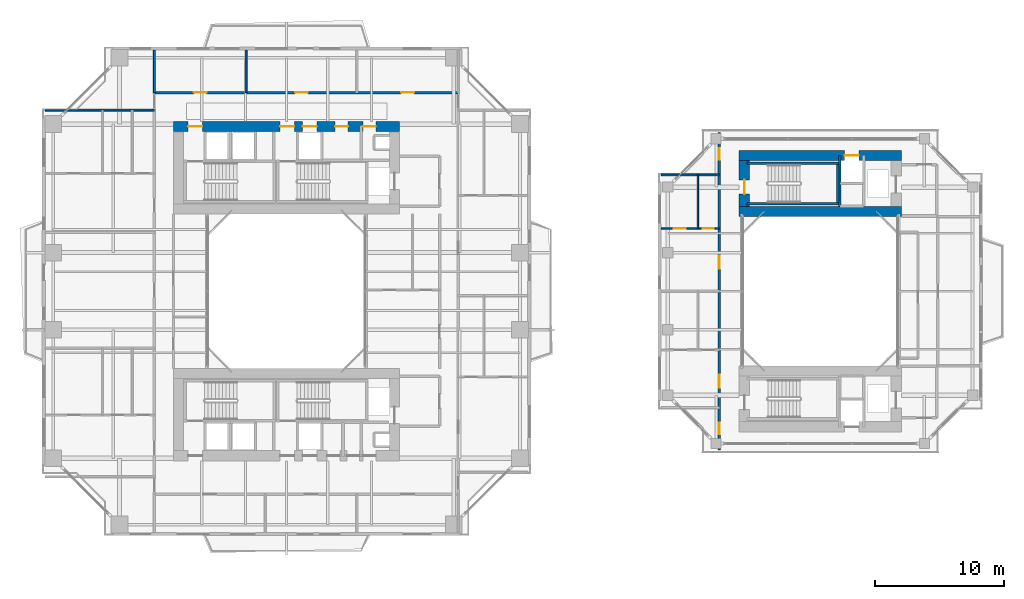
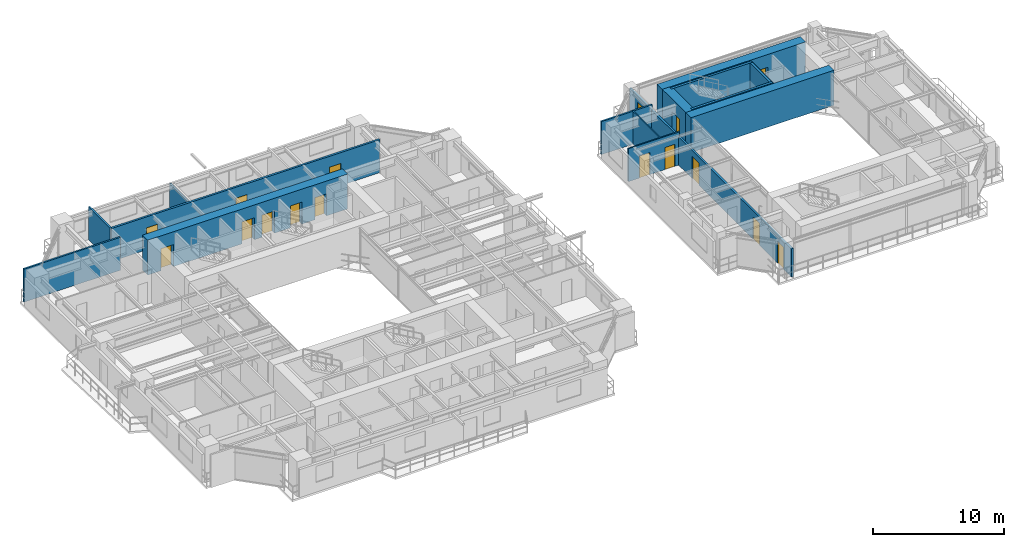
# One storey, part 17 of 23: 16 doors, 16 walls, 16 openings.
"""IFC4 building model written with IfcOpenShell, lengths in metres."""

from ifc_helpers import new_model, si_unit, direction, frame, frame_2d, origin, place, context, subcontext, project, spatial, rectangle, extrude, source, transform, mapped, material, layer, layer_set, type_object, element, fill, save


model = new_model("IFC4")

# Units and contexts
model_context = context("Model", 3, precision=1e-05, world=origin(), true_north=direction((0.0, 1.0)))
body_context = subcontext(model_context, "Body", "Model", "MODEL_VIEW")
ifc_project = project(units=[si_unit("LENGTHUNIT", "METRE"), si_unit("AREAUNIT", "SQUARE_METRE"), si_unit("VOLUMEUNIT", "CUBIC_METRE"), si_unit("PLANEANGLEUNIT", "RADIAN"), si_unit("MASSUNIT", "GRAM", prefix="KILO"), si_unit("THERMODYNAMICTEMPERATUREUNIT", "KELVIN"), si_unit("POWERUNIT", "WATT")], contexts=[model_context])

# Site, building, storey
site_placement = place(None, origin())
site = spatial("IfcSite", under=ifc_project, at=site_placement, CompositionType="ELEMENT")
building_placement = place(site_placement, origin())
building = spatial("IfcBuilding", under=site, at=building_placement, Name="Qiaomeng Ring Towers", CompositionType="ELEMENT")
storey_placement = place(building_placement, frame((0.0, 0.0, 86.0)))
storey = spatial("IfcBuildingStorey", under=building, at=storey_placement, Name="L24", CompositionType="ELEMENT", Elevation=86.0)

# Wall, openings, doors
ifc_material_1 = material(Name="Autoclaved aerated concrete block", Category="concrete")
ifc_layer_1 = layer(ifc_material_1, 0.179931640625, Name="Autoclaved aerated concrete block")
ifc_layer_set_1 = layer_set([ifc_layer_1], Name="Autoclaved aerated concrete block")
wall_type_1 = type_object("IfcWallType", Name="ARC-WL-PW2", PredefinedType="PARTITIONING", material=ifc_layer_set_1)
wall_1_placement = place(storey_placement, frame((8.719970703125, 38.43994140625, 0.0), z_axis=(0.0, 0.0, 1.0), x_axis=(1.0, 0.0, 0.0)))
wall_1 = element("IfcWall", 1, at=wall_1_placement, inside=storey, type_object=wall_type_1, Name="L24 Interior Wall PW2", PredefinedType="PARTITIONING", context=body_context, shape_type="SweptSolid", body=[
    extrude(rectangle(XDim=23.630126953125, YDim=0.179931640625, at=frame_2d((11.81494140625, 0.0))), origin(), (0.0, 0.0, 1.0), 3.070068359375),
])
opening_1_placement = place(wall_1_placement, frame((3.06494140625, 0.0, 0.0)))
opening_1 = element("IfcOpeningElement", 2, at=opening_1_placement, cuts=wall_1, Name="Opening FD4", PredefinedType="OPENING", context=body_context, shape_type="SweptSolid", body=[
    extrude(rectangle(XDim=1.0, YDim=2.050048828125, at=frame_2d((0.5, 1.02490234375))), frame((0.0, 0.099853515625, 0.0), z_axis=(0.0, -1.0, 0.0), x_axis=(1.0, 0.0, 0.0)), (0.0, 0.0, 1.0), 0.199951171875),
])
opening_2_placement = place(wall_1_placement, frame((10.93994140625, 0.0, 0.0)))
opening_2 = element("IfcOpeningElement", 3, at=opening_2_placement, cuts=wall_1, Name="Opening FD4", PredefinedType="OPENING", context=body_context, shape_type="SweptSolid", body=[
    extrude(rectangle(XDim=1.0, YDim=2.050048828125, at=frame_2d((0.5, 1.02490234375))), frame((0.0, 0.099853515625, 0.0), z_axis=(0.0, -1.0, 0.0), x_axis=(1.0, 0.0, 0.0)), (0.0, 0.0, 1.0), 0.199951171875),
])
opening_3_placement = place(wall_1_placement, frame((19.18994140625, 0.0, 0.0)))
opening_3 = element("IfcOpeningElement", 4, at=opening_3_placement, cuts=wall_1, Name="Opening FD4", PredefinedType="OPENING", context=body_context, shape_type="SweptSolid", body=[
    extrude(rectangle(XDim=1.0, YDim=2.050048828125, at=frame_2d((0.5, 1.02490234375))), frame((0.0, 0.099853515625, 0.0), z_axis=(0.0, -1.0, 0.0), x_axis=(1.0, 0.0, 0.0)), (0.0, 0.0, 1.0), 0.199951171875),
])
ifc_material_2 = material(Name="Engineered fire-rated oak timber", Category="wood")
door_type_1 = type_object("IfcDoorType", Name="ARC-DR-FD4", OperationType="NOTDEFINED", PredefinedType="DOOR", material=ifc_material_2)
shared_shape_1 = source(origin(), body_context, "Body", "SweptSolid", [
    extrude(rectangle(XDim=1.0, YDim=2.050048828125, at=frame_2d((0.5, 1.02490234375))), frame((0.0, 0.02490234375, 0.0), z_axis=(0.0, -1.0, 0.0), x_axis=(1.0, 0.0, 0.0)), (0.0, 0.0, 1.0), 0.050048828125),
])
door_1_placement = place(opening_1_placement, origin())
door_1 = element("IfcDoor", 5, at=door_1_placement, inside=storey, type_object=door_type_1, Name="L24 Door FD4", OperationType="SINGLE_SWING_RIGHT", OverallHeight=2.050048828125, OverallWidth=1.0, PredefinedType="DOOR", context=body_context, shape_type="MappedRepresentation", body=[
    mapped(shared_shape_1, transform((0.0, 0.0, 0.0), x_axis=(1.0, 0.0, 0.0), y_axis=(0.0, 1.0, 0.0), z_axis=(0.0, 0.0, 1.0), scale=1.0)),
])
fill(opening_1, door_1)
door_2_placement = place(opening_2_placement, origin())
door_2 = element("IfcDoor", 6, at=door_2_placement, inside=storey, type_object=door_type_1, Name="L24 Door FD4", OperationType="SINGLE_SWING_LEFT", OverallHeight=2.050048828125, OverallWidth=1.0, PredefinedType="DOOR", context=body_context, shape_type="MappedRepresentation", body=[
    mapped(shared_shape_1, transform((0.0, 0.0, 0.0), x_axis=(1.0, 0.0, 0.0), y_axis=(0.0, 1.0, 0.0), z_axis=(0.0, 0.0, 1.0), scale=1.0)),
])
fill(opening_2, door_2)
door_3_placement = place(opening_3_placement, origin())
door_3 = element("IfcDoor", 7, at=door_3_placement, inside=storey, type_object=door_type_1, Name="L24 Door FD4", OperationType="SINGLE_SWING_RIGHT", OverallHeight=2.050048828125, OverallWidth=1.0, PredefinedType="DOOR", context=body_context, shape_type="MappedRepresentation", body=[
    mapped(shared_shape_1, transform((0.0, 0.0, 0.0), x_axis=(1.0, 0.0, 0.0), y_axis=(0.0, 1.0, 0.0), z_axis=(0.0, 0.0, 1.0), scale=1.0)),
])
fill(opening_3, door_3)

wall_2_placement = place(storey_placement, frame((52.64990234375, 10.64990234375, 0.0), z_axis=(0.0, 0.0, 1.0), x_axis=(0.0, 1.0, 0.0)))
wall_2 = element("IfcWall", 8, at=wall_2_placement, inside=storey, type_object=wall_type_1, Name="L24 Interior Wall PW2", PredefinedType="PARTITIONING", context=body_context, shape_type="SweptSolid", body=[
    extrude(rectangle(XDim=24.7001953125, YDim=0.179931640625, at=frame_2d((12.35009765625, 0.0))), origin(), (0.0, 0.0, 1.0), 2.614990234375),
])
opening_4_placement = place(wall_2_placement, frame((22.580078125, 0.0, 0.0)))
opening_4 = element("IfcOpeningElement", 9, at=opening_4_placement, cuts=wall_2, Name="Opening ID1", PredefinedType="OPENING", context=body_context, shape_type="SweptSolid", body=[
    extrude(rectangle(XDim=0.89990234375, YDim=2.050048828125, at=frame_2d((0.449951171875, 1.02490234375))), frame((0.0, 0.099853515625, 0.0), z_axis=(0.0, -1.0, 0.0), x_axis=(1.0, 0.0, 0.0)), (0.0, 0.0, 1.0), 0.199951171875),
])
opening_5_placement = place(wall_2_placement, frame((1.219970703125, 0.0, 0.0)))
opening_5 = element("IfcOpeningElement", 10, at=opening_5_placement, cuts=wall_2, Name="Opening ID1", PredefinedType="OPENING", context=body_context, shape_type="SweptSolid", body=[
    extrude(rectangle(XDim=0.89990234375, YDim=2.050048828125, at=frame_2d((0.449951171875, 1.02490234375))), frame((0.0, 0.099853515625, 0.0), z_axis=(0.0, -1.0, 0.0), x_axis=(1.0, 0.0, 0.0)), (0.0, 0.0, 1.0), 0.199951171875),
])
opening_6_placement = place(wall_2_placement, frame((4.844970703125, 0.0, 0.0)))
opening_6 = element("IfcOpeningElement", 11, at=opening_6_placement, cuts=wall_2, Name="Opening FD4", PredefinedType="OPENING", context=body_context, shape_type="SweptSolid", body=[
    extrude(rectangle(XDim=1.0, YDim=2.050048828125, at=frame_2d((0.5, 1.02490234375))), frame((0.0, 0.099853515625, 0.0), z_axis=(0.0, -1.0, 0.0), x_axis=(1.0, 0.0, 0.0)), (0.0, 0.0, 1.0), 0.199951171875),
])
opening_7_placement = place(wall_2_placement, frame((14.10498046875, 0.0, 0.0)))
opening_7 = element("IfcOpeningElement", 12, at=opening_7_placement, cuts=wall_2, Name="Opening FD4", PredefinedType="OPENING", context=body_context, shape_type="SweptSolid", body=[
    extrude(rectangle(XDim=1.0, YDim=2.050048828125, at=frame_2d((0.5, 1.02490234375))), frame((0.0, 0.099853515625, 0.0), z_axis=(0.0, -1.0, 0.0), x_axis=(1.0, 0.0, 0.0)), (0.0, 0.0, 1.0), 0.199951171875),
])
door_4_placement = place(opening_6_placement, origin())
door_4 = element("IfcDoor", 13, at=door_4_placement, inside=storey, type_object=door_type_1, Name="L24 Door FD4", OperationType="SINGLE_SWING_RIGHT", OverallHeight=2.050048828125, OverallWidth=1.0, PredefinedType="DOOR", context=body_context, shape_type="MappedRepresentation", body=[
    mapped(shared_shape_1, transform((0.0, 0.0, 0.0), x_axis=(1.0, 0.0, 0.0), y_axis=(0.0, 1.0, 0.0), z_axis=(0.0, 0.0, 1.0), scale=1.0)),
])
fill(opening_6, door_4)
door_5_placement = place(opening_7_placement, origin())
door_5 = element("IfcDoor", 14, at=door_5_placement, inside=storey, type_object=door_type_1, Name="L24 Door FD4", OperationType="SINGLE_SWING_LEFT", OverallHeight=2.050048828125, OverallWidth=1.0, PredefinedType="DOOR", context=body_context, shape_type="MappedRepresentation", body=[
    mapped(shared_shape_1, transform((0.0, 0.0, 0.0), x_axis=(1.0, 0.0, 0.0), y_axis=(0.0, 1.0, 0.0), z_axis=(0.0, 0.0, 1.0), scale=1.0)),
])
fill(opening_7, door_5)
ifc_material_3 = material(Name="Engineered oak timber", Category="wood")
door_type_2 = type_object("IfcDoorType", Name="ARC-DR-ID1", OperationType="NOTDEFINED", PredefinedType="DOOR", material=ifc_material_3)
shared_shape_2 = source(origin(), body_context, "Body", "SweptSolid", [
    extrude(rectangle(XDim=0.89990234375, YDim=2.050048828125, at=frame_2d((0.449951171875, 1.02490234375))), frame((0.0, 0.02490234375, 0.0), z_axis=(0.0, -1.0, 0.0), x_axis=(1.0, 0.0, 0.0)), (0.0, 0.0, 1.0), 0.050048828125),
])
door_6_placement = place(opening_4_placement, origin())
door_6 = element("IfcDoor", 15, at=door_6_placement, inside=storey, type_object=door_type_2, Name="L24 Door ID1", OperationType="SINGLE_SWING_RIGHT", OverallHeight=2.050048828125, OverallWidth=0.89990234375, PredefinedType="DOOR", context=body_context, shape_type="MappedRepresentation", body=[
    mapped(shared_shape_2, transform((0.0, 0.0, 0.0), x_axis=(1.0, 0.0, 0.0), y_axis=(0.0, 1.0, 0.0), z_axis=(0.0, 0.0, 1.0), scale=1.0)),
])
fill(opening_4, door_6)
door_7_placement = place(opening_5_placement, origin())
door_7 = element("IfcDoor", 16, at=door_7_placement, inside=storey, type_object=door_type_2, Name="L24 Door ID1", OperationType="SINGLE_SWING_LEFT", OverallHeight=2.050048828125, OverallWidth=0.89990234375, PredefinedType="DOOR", context=body_context, shape_type="MappedRepresentation", body=[
    mapped(shared_shape_2, transform((0.0, 0.0, 0.0), x_axis=(1.0, 0.0, 0.0), y_axis=(0.0, 1.0, 0.0), z_axis=(0.0, 0.0, 1.0), scale=1.0)),
])
fill(opening_5, door_7)

# Walls
ifc_material_4 = material(Name="Gypsum fireboard steel-stud partition", Category="steel")
ifc_layer_2 = layer(ifc_material_4, 0.14990234375, Name="Gypsum fireboard steel-stud partition")
ifc_layer_set_2 = layer_set([ifc_layer_2], Name="Gypsum fireboard steel-stud partition")
wall_type_2 = type_object("IfcWallType", Name="ARC-WL-PW3", PredefinedType="PARTITIONING", material=ifc_layer_set_2)
wall_3_placement = place(storey_placement, frame((15.85009765625, 38.43994140625, 0.0), z_axis=(0.0, 0.0, 1.0), x_axis=(0.0, 1.0, 0.0)))
element("IfcWall", 17, at=wall_3_placement, inside=storey, type_object=wall_type_2, Name="L24 Interior Wall PW3", PredefinedType="PARTITIONING", context=body_context, shape_type="SweptSolid", body=[
    extrude(rectangle(XDim=3.31005859375, YDim=0.14990234375, at=frame_2d((1.655029296875, 0.0))), origin(), (0.0, 0.0, 1.0), 2.715087890625),
])
wall_4_placement = place(storey_placement, frame((8.719970703125, 38.43994140625, 0.0), z_axis=(0.0, 0.0, 1.0), x_axis=(0.0, 1.0, 0.0)))
element("IfcWall", 18, at=wall_4_placement, inside=storey, type_object=wall_type_2, Name="L24 Interior Wall PW3", PredefinedType="PARTITIONING", context=body_context, shape_type="SweptSolid", body=[
    extrude(rectangle(XDim=3.31005859375, YDim=0.14990234375, at=frame_2d((1.655029296875, 0.0))), origin(), (0.0, 0.0, 1.0), 3.070068359375),
])
wall_5_placement = place(storey_placement, frame((0.25, 37.080078125, 0.0), z_axis=(0.0, 0.0, 1.0), x_axis=(1.0, 0.0, 0.0)))
element("IfcWall", 19, at=wall_5_placement, inside=storey, type_object=wall_type_2, Name="L24 Interior Wall PW3", PredefinedType="PARTITIONING", context=body_context, shape_type="SweptSolid", body=[
    extrude(rectangle(XDim=8.469970703125, YDim=0.14990234375, at=frame_2d((4.23486328125, 0.0))), origin(), (0.0, 0.0, 1.0), 3.070068359375),
])
wall_6_placement = place(storey_placement, frame((48.14990234375, 32.050048828125, 0.0), z_axis=(0.0, 0.0, 1.0), x_axis=(1.0, 0.0, 0.0)))
element("IfcWall", 20, at=wall_6_placement, inside=storey, type_object=wall_type_2, Name="L24 Interior Wall PW3", PredefinedType="PARTITIONING", context=body_context, shape_type="SweptSolid", body=[
    extrude(rectangle(XDim=4.5, YDim=0.14990234375, at=frame_2d((2.25, 0.0))), origin(), (0.0, 0.0, 1.0), 3.070068359375),
])

# Wall, openings, doors
ifc_material_5 = material(Name="Moisture-resistant gypsum steel-stud partition", Category="steel")
ifc_layer_3 = layer(ifc_material_5, 0.1201171875, Name="Moisture-resistant gypsum steel-stud partition")
ifc_layer_set_3 = layer_set([ifc_layer_3], Name="Moisture-resistant gypsum steel-stud partition")
wall_type_3 = type_object("IfcWallType", Name="ARC-WL-PW4", PredefinedType="PLUMBINGWALL", material=ifc_layer_set_3)
wall_7_placement = place(storey_placement, frame((48.14990234375, 27.889892578125, 0.0), z_axis=(0.0, 0.0, 1.0), x_axis=(1.0, 0.0, 0.0)))
wall_7 = element("IfcWall", 21, at=wall_7_placement, inside=storey, type_object=wall_type_3, Name="L24 Interior Wall PW4", PredefinedType="PLUMBINGWALL", context=body_context, shape_type="SweptSolid", body=[
    extrude(rectangle(XDim=4.5, YDim=0.1201171875, at=frame_2d((2.25, 0.0))), origin(), (0.0, 0.0, 1.0), 3.070068359375),
])
opening_8_placement = place(wall_7_placement, frame((0.97509765625, 0.0, 0.0)))
opening_8 = element("IfcOpeningElement", 22, at=opening_8_placement, cuts=wall_7, Name="Opening ID1", PredefinedType="OPENING", context=body_context, shape_type="SweptSolid", body=[
    extrude(rectangle(XDim=0.89990234375, YDim=2.050048828125, at=frame_2d((0.449951171875, 1.02490234375))), frame((0.0, 0.070068359375, 0.0), z_axis=(0.0, -1.0, 0.0), x_axis=(1.0, 0.0, 0.0)), (0.0, 0.0, 1.0), 0.14013671875),
])
opening_9_placement = place(wall_7_placement, frame((3.22998046875, 0.0, 0.0)))
opening_9 = element("IfcOpeningElement", 23, at=opening_9_placement, cuts=wall_7, Name="Opening ID2", PredefinedType="OPENING", context=body_context, shape_type="SweptSolid", body=[
    extrude(rectangle(XDim=0.85009765625, YDim=2.050048828125, at=frame_2d((0.425048828125, 1.02490234375))), frame((0.0, 0.070068359375, 0.0), z_axis=(0.0, -1.0, 0.0), x_axis=(1.0, 0.0, 0.0)), (0.0, 0.0, 1.0), 0.14013671875),
])
ifc_material_6 = material(Name="Moisture-resistant engineered timber", Category="wood")
door_type_3 = type_object("IfcDoorType", Name="ARC-DR-ID2", OperationType="NOTDEFINED", PredefinedType="DOOR", material=ifc_material_6)
shared_shape_3 = source(origin(), body_context, "Body", "SweptSolid", [
    extrude(rectangle(XDim=0.85009765625, YDim=2.050048828125, at=frame_2d((0.425048828125, 1.02490234375))), frame((0.0, 0.02490234375, 0.0), z_axis=(0.0, -1.0, 0.0), x_axis=(1.0, 0.0, 0.0)), (0.0, 0.0, 1.0), 0.050048828125),
])
door_8_placement = place(opening_9_placement, origin())
door_8 = element("IfcDoor", 24, at=door_8_placement, inside=storey, type_object=door_type_3, Name="L24 Door ID2", OperationType="SINGLE_SWING_LEFT", OverallHeight=2.050048828125, OverallWidth=0.85009765625, PredefinedType="DOOR", context=body_context, shape_type="MappedRepresentation", body=[
    mapped(shared_shape_3, transform((0.0, 0.0, 0.0), x_axis=(1.0, 0.0, 0.0), y_axis=(0.0, 1.0, 0.0), z_axis=(0.0, 0.0, 1.0), scale=1.0)),
])
fill(opening_9, door_8)
door_9_placement = place(opening_8_placement, origin())
door_9 = element("IfcDoor", 25, at=door_9_placement, inside=storey, type_object=door_type_2, Name="L24 Door ID1", OperationType="SINGLE_SWING_RIGHT", OverallHeight=2.050048828125, OverallWidth=0.89990234375, PredefinedType="DOOR", context=body_context, shape_type="MappedRepresentation", body=[
    mapped(shared_shape_2, transform((0.0, 0.0, 0.0), x_axis=(1.0, 0.0, 0.0), y_axis=(0.0, 1.0, 0.0), z_axis=(0.0, 0.0, 1.0), scale=1.0)),
])
fill(opening_8, door_9)

# Walls
wall_8_placement = place(storey_placement, frame((50.97998046875, 27.889892578125, 0.0), z_axis=(0.0, 0.0, 1.0), x_axis=(0.0, 1.0, 0.0)))
element("IfcWall", 26, at=wall_8_placement, inside=storey, type_object=wall_type_3, Name="L24 Interior Wall PW4", PredefinedType="PLUMBINGWALL", context=body_context, shape_type="SweptSolid", body=[
    extrude(rectangle(XDim=4.16015625, YDim=0.1201171875, at=frame_2d((2.080078125, 0.0))), origin(), (0.0, 0.0, 1.0), 3.070068359375),
])
ifc_material_7 = material(Name="Concrete C40", Category="concrete")
ifc_layer_4 = layer(ifc_material_7, 0.199951171875, Name="Concrete C40")
ifc_layer_set_4 = layer_set([ifc_layer_4], Name="Concrete C40")
wall_type_4 = type_object("IfcWallType", Name="STR-WL-STSHAFT", PredefinedType="SHEAR", material=ifc_layer_set_4)
wall_9_placement = place(storey_placement, frame((62.02001953125, 29.60009765625, 0.0), z_axis=(0.0, 0.0, 1.0), x_axis=(0.0, 1.0, 0.0)))
element("IfcWall", 27, at=wall_9_placement, inside=storey, type_object=wall_type_4, Name="L24 Companion Lift Shaft West Wall N", PredefinedType="SHEAR", context=body_context, shape_type="SweptSolid", body=[
    extrude(rectangle(XDim=3.949951171875, YDim=0.179931640625, at=frame_2d((1.97509765625, 0.0))), origin(), (0.0, 0.0, 1.0), 3.070068359375),
])
for number, where, z_axis, x_axis, name in (
    (28, (54.800048828125, 29.800048828125, 0.0), (0.0, 0.0, 1.0), (1.0, 0.0, 0.0), "L24 Stair ST5 South Shaft Shear Wall"),
    (29, (54.800048828125, 32.93994140625, 0.0), (0.0, 0.0, 1.0), (1.0, 0.0, 0.0), "L24 Stair ST5 North Shaft Shear Wall"),
):
    element("IfcWall", number, at=place(storey_placement, frame(where, z_axis=z_axis, x_axis=x_axis)), inside=storey, type_object=wall_type_4, Name=name, PredefinedType="SHEAR", context=body_context, shape_type="SweptSolid", body=[
        extrude(rectangle(XDim=7.14990234375, YDim=0.199951171875, at=frame_2d((3.574951171875, 0.0))), origin(), (0.0, 0.0, 1.0), 3.25),
    ])
wall_10_placement = place(storey_placement, frame((61.85009765625, 29.89990234375, 0.0), z_axis=(0.0, 0.0, 1.0), x_axis=(0.0, 1.0, 0.0)))
element("IfcWall", 30, at=wall_10_placement, inside=storey, type_object=wall_type_4, Name="L24 Stair ST5 East Shaft Shear Wall", PredefinedType="SHEAR", context=body_context, shape_type="SweptSolid", body=[
    extrude(rectangle(XDim=2.940185546875, YDim=0.199951171875, at=frame_2d((1.47021484375, 0.0))), origin(), (0.0, 0.0, 1.0), 3.25),
])

# Wall, openings, doors
ifc_material_8 = material(Name="Concrete C60", Category="concrete")
ifc_layer_5 = layer(ifc_material_8, 0.800048828125, Name="Concrete C60")
ifc_layer_set_5 = layer_set([ifc_layer_5], Name="Concrete C60")
wall_type_5 = type_object("IfcWallType", Name="STR-WL-SW1", PredefinedType="SHEAR", material=ifc_layer_set_5)
wall_11_placement = place(storey_placement, frame((10.199951171875, 35.800048828125, 0.0), z_axis=(0.0, 0.0, 1.0), x_axis=(1.0, 0.0, 0.0)))
wall_11 = element("IfcWall", 31, at=wall_11_placement, inside=storey, type_object=wall_type_5, Name="L24 T1NC north core shear wall", PredefinedType="SHEAR", context=body_context, shape_type="SweptSolid", body=[
    extrude(rectangle(XDim=17.60009765625, YDim=0.800048828125, at=frame_2d((8.800048828125, 0.0))), origin(), (0.0, 0.0, 1.0), 3.25),
])
opening_10_placement = place(wall_11_placement, frame((1.14990234375, 0.0, 0.0)))
opening_10 = element("IfcOpeningElement", 32, at=opening_10_placement, cuts=wall_11, Name="Opening FD3", PredefinedType="OPENING", context=body_context, shape_type="SweptSolid", body=[
    extrude(rectangle(XDim=1.10009765625, YDim=2.050048828125, at=frame_2d((0.550048828125, 1.02490234375))), frame((0.0, 0.409912109375, 0.0), z_axis=(0.0, -1.0, 0.0), x_axis=(1.0, 0.0, 0.0)), (0.0, 0.0, 1.0), 0.820068359375),
])
opening_11_placement = place(wall_11_placement, frame((8.300048828125, 0.0, 0.0)))
opening_11 = element("IfcOpeningElement", 33, at=opening_11_placement, cuts=wall_11, Name="Opening FD3", PredefinedType="OPENING", context=body_context, shape_type="SweptSolid", body=[
    extrude(rectangle(XDim=1.10009765625, YDim=2.050048828125, at=frame_2d((0.550048828125, 1.02490234375))), frame((0.0, 0.409912109375, 0.0), z_axis=(0.0, -1.0, 0.0), x_axis=(1.0, 0.0, 0.0)), (0.0, 0.0, 1.0), 0.820068359375),
])
opening_12_placement = place(wall_11_placement, frame((10.050048828125, 0.0, 0.0)))
opening_12 = element("IfcOpeningElement", 34, at=opening_12_placement, cuts=wall_11, Name="Opening LD1", PredefinedType="OPENING", context=body_context, shape_type="SweptSolid", body=[
    extrude(rectangle(XDim=1.10009765625, YDim=2.050048828125, at=frame_2d((0.550048828125, 1.02490234375))), frame((0.0, 0.409912109375, 0.0), z_axis=(0.0, -1.0, 0.0), x_axis=(1.0, 0.0, 0.0)), (0.0, 0.0, 1.0), 0.820068359375),
])
opening_13_placement = place(wall_11_placement, frame((14.739990234375, 0.0, 0.0)))
opening_13 = element("IfcOpeningElement", 35, at=opening_13_placement, cuts=wall_11, Name="Opening FD1", PredefinedType="OPENING", context=body_context, shape_type="SweptSolid", body=[
    extrude(rectangle(XDim=1.0, YDim=2.050048828125, at=frame_2d((0.5, 1.02490234375))), frame((0.0, 0.409912109375, 0.0), z_axis=(0.0, -1.0, 0.0), x_axis=(1.0, 0.0, 0.0)), (0.0, 0.0, 1.0), 0.820068359375),
])
opening_14_placement = place(wall_11_placement, frame((12.5849609375, 0.0, 0.0)))
opening_14 = element("IfcOpeningElement", 36, at=opening_14_placement, cuts=wall_11, Name="Opening FD1", PredefinedType="OPENING", context=body_context, shape_type="SweptSolid", body=[
    extrude(rectangle(XDim=1.0, YDim=2.050048828125, at=frame_2d((0.5, 1.02490234375))), frame((0.0, 0.409912109375, 0.0), z_axis=(0.0, -1.0, 0.0), x_axis=(1.0, 0.0, 0.0)), (0.0, 0.0, 1.0), 0.820068359375),
])
ifc_material_9 = material(Name="Galvanised steel", Category="steel")
door_type_4 = type_object("IfcDoorType", Name="ARC-DR-FD3", OperationType="NOTDEFINED", PredefinedType="DOOR", material=ifc_material_9)
shared_shape_4 = source(origin(), body_context, "Body", "SweptSolid", [
    extrude(rectangle(XDim=1.10009765625, YDim=2.050048828125, at=frame_2d((0.550048828125, 1.02490234375))), frame((0.0, 0.02490234375, 0.0), z_axis=(0.0, -1.0, 0.0), x_axis=(1.0, 0.0, 0.0)), (0.0, 0.0, 1.0), 0.050048828125),
])
door_10_placement = place(opening_10_placement, origin())
door_10 = element("IfcDoor", 37, at=door_10_placement, inside=storey, type_object=door_type_4, Name="L24 Stair ST1 Lobby Door", OperationType="SINGLE_SWING_LEFT", OverallHeight=2.050048828125, OverallWidth=1.10009765625, PredefinedType="DOOR", context=body_context, shape_type="MappedRepresentation", body=[
    mapped(shared_shape_4, transform((0.0, 0.0, 0.0), x_axis=(1.0, 0.0, 0.0), y_axis=(0.0, 1.0, 0.0), z_axis=(0.0, 0.0, 1.0), scale=1.0)),
])
fill(opening_10, door_10)
door_11_placement = place(opening_11_placement, origin())
door_11 = element("IfcDoor", 38, at=door_11_placement, inside=storey, type_object=door_type_4, Name="L24 Stair ST2 Lobby Door", OperationType="SINGLE_SWING_LEFT", OverallHeight=2.050048828125, OverallWidth=1.10009765625, PredefinedType="DOOR", context=body_context, shape_type="MappedRepresentation", body=[
    mapped(shared_shape_4, transform((0.0, 0.0, 0.0), x_axis=(1.0, 0.0, 0.0), y_axis=(0.0, 1.0, 0.0), z_axis=(0.0, 0.0, 1.0), scale=1.0)),
])
fill(opening_11, door_11)
ifc_material_10 = material(Name="Stainless steel 316", Category="steel")
door_type_5 = type_object("IfcDoorType", Name="ARC-DR-LD1", OperationType="NOTDEFINED", PredefinedType="DOOR", material=ifc_material_10)
door_12_placement = place(opening_12_placement, origin())
door_12 = element("IfcDoor", 39, at=door_12_placement, inside=storey, type_object=door_type_5, Name="L24 Low-Zone Lift LP1 Landing Door", OperationType="SLIDING_TO_LEFT", OverallHeight=2.050048828125, OverallWidth=1.10009765625, PredefinedType="DOOR", context=body_context, shape_type="MappedRepresentation", body=[
    mapped(shared_shape_4, transform((0.0, 0.0, 0.0), x_axis=(1.0, 0.0, 0.0), y_axis=(0.0, 1.0, 0.0), z_axis=(0.0, 0.0, 1.0), scale=1.0)),
])
fill(opening_12, door_12)
door_type_6 = type_object("IfcDoorType", Name="ARC-DR-FD1", OperationType="NOTDEFINED", PredefinedType="DOOR", material=ifc_material_9)
door_13_placement = place(opening_13_placement, origin())
door_13 = element("IfcDoor", 40, at=door_13_placement, inside=storey, type_object=door_type_6, Name="L24 North Electrical Riser Door", OperationType="SINGLE_SWING_LEFT", OverallHeight=2.050048828125, OverallWidth=1.0, PredefinedType="DOOR", context=body_context, shape_type="MappedRepresentation", body=[
    mapped(shared_shape_1, transform((0.0, 0.0, 0.0), x_axis=(1.0, 0.0, 0.0), y_axis=(0.0, 1.0, 0.0), z_axis=(0.0, 0.0, 1.0), scale=1.0)),
])
fill(opening_13, door_13)
door_14_placement = place(opening_14_placement, origin())
door_14 = element("IfcDoor", 41, at=door_14_placement, inside=storey, type_object=door_type_6, Name="L24 North Cleaners Store Door", OperationType="SINGLE_SWING_LEFT", OverallHeight=2.050048828125, OverallWidth=1.0, PredefinedType="DOOR", context=body_context, shape_type="MappedRepresentation", body=[
    mapped(shared_shape_1, transform((0.0, 0.0, 0.0), x_axis=(1.0, 0.0, 0.0), y_axis=(0.0, 1.0, 0.0), z_axis=(0.0, 0.0, 1.0), scale=1.0)),
])
fill(opening_14, door_14)

# Wall
wall_12_placement = place(storey_placement, frame((54.199951171875, 29.199951171875, 0.0), z_axis=(0.0, 0.0, 1.0), x_axis=(1.0, 0.0, 0.0)))
element("IfcWall", 42, at=wall_12_placement, inside=storey, type_object=wall_type_5, Name="L24 T2NC south core shear wall", PredefinedType="SHEAR", context=body_context, shape_type="SweptSolid", body=[
    extrude(rectangle(XDim=12.60009765625, YDim=0.800048828125, at=frame_2d((6.300048828125, 0.0))), origin(), (0.0, 0.0, 1.0), 3.25),
])

# Wall, opening, door
wall_13_placement = place(storey_placement, frame((54.199951171875, 33.550048828125, 0.0), z_axis=(0.0, 0.0, 1.0), x_axis=(1.0, 0.0, 0.0)))
wall_13 = element("IfcWall", 43, at=wall_13_placement, inside=storey, type_object=wall_type_5, Name="L24 T2NC north core shear wall", PredefinedType="SHEAR", context=body_context, shape_type="SweptSolid", body=[
    extrude(rectangle(XDim=12.60009765625, YDim=0.800048828125, at=frame_2d((6.300048828125, 0.0))), origin(), (0.0, 0.0, 1.0), 3.25),
])
opening_15_placement = place(wall_13_placement, frame((8.199951171875, 0.0, 0.0)))
opening_15 = element("IfcOpeningElement", 44, at=opening_15_placement, cuts=wall_13, Name="Opening LD1", PredefinedType="OPENING", context=body_context, shape_type="SweptSolid", body=[
    extrude(rectangle(XDim=1.10009765625, YDim=2.050048828125, at=frame_2d((0.550048828125, 1.02490234375))), frame((0.0, 0.409912109375, 0.0), z_axis=(0.0, -1.0, 0.0), x_axis=(1.0, 0.0, 0.0)), (0.0, 0.0, 1.0), 0.820068359375),
])
door_15_placement = place(opening_15_placement, origin())
door_15 = element("IfcDoor", 45, at=door_15_placement, inside=storey, type_object=door_type_5, Name="L24 Companion Lift LP7 Landing Door", OperationType="SLIDING_TO_LEFT", OverallHeight=2.050048828125, OverallWidth=1.10009765625, PredefinedType="DOOR", context=body_context, shape_type="MappedRepresentation", body=[
    mapped(shared_shape_4, transform((0.0, 0.0, 0.0), x_axis=(1.0, 0.0, 0.0), y_axis=(0.0, 1.0, 0.0), z_axis=(0.0, 0.0, 1.0), scale=1.0)),
])
fill(opening_15, door_15)

wall_14_placement = place(storey_placement, frame((54.60009765625, 29.60009765625, 0.0), z_axis=(0.0, 0.0, 1.0), x_axis=(0.0, 1.0, 0.0)))
wall_14 = element("IfcWall", 46, at=wall_14_placement, inside=storey, type_object=wall_type_5, Name="L24 T2NC west core shear wall", PredefinedType="SHEAR", context=body_context, shape_type="SweptSolid", body=[
    extrude(rectangle(XDim=3.5498046875, YDim=0.800048828125, at=frame_2d((1.77490234375, 0.0))), origin(), (0.0, 0.0, 1.0), 3.25),
])
opening_16_placement = place(wall_14_placement, frame((0.949951171875, 0.0, 0.0)))
opening_16 = element("IfcOpeningElement", 47, at=opening_16_placement, cuts=wall_14, Name="Opening FD3", PredefinedType="OPENING", context=body_context, shape_type="SweptSolid", body=[
    extrude(rectangle(XDim=1.10009765625, YDim=2.050048828125, at=frame_2d((0.550048828125, 1.02490234375))), frame((0.0, 0.409912109375, 0.0), z_axis=(0.0, -1.0, 0.0), x_axis=(1.0, 0.0, 0.0)), (0.0, 0.0, 1.0), 0.820068359375),
])
door_16_placement = place(opening_16_placement, origin())
door_16 = element("IfcDoor", 48, at=door_16_placement, inside=storey, type_object=door_type_4, Name="L24 Stair ST5 Exit Door", OperationType="SINGLE_SWING_LEFT", OverallHeight=2.050048828125, OverallWidth=1.10009765625, PredefinedType="DOOR", context=body_context, shape_type="MappedRepresentation", body=[
    mapped(shared_shape_4, transform((0.0, 0.0, 0.0), x_axis=(1.0, 0.0, 0.0), y_axis=(0.0, 1.0, 0.0), z_axis=(0.0, 0.0, 1.0), scale=1.0)),
])
fill(opening_16, door_16)

save(model, "model.ifc")
